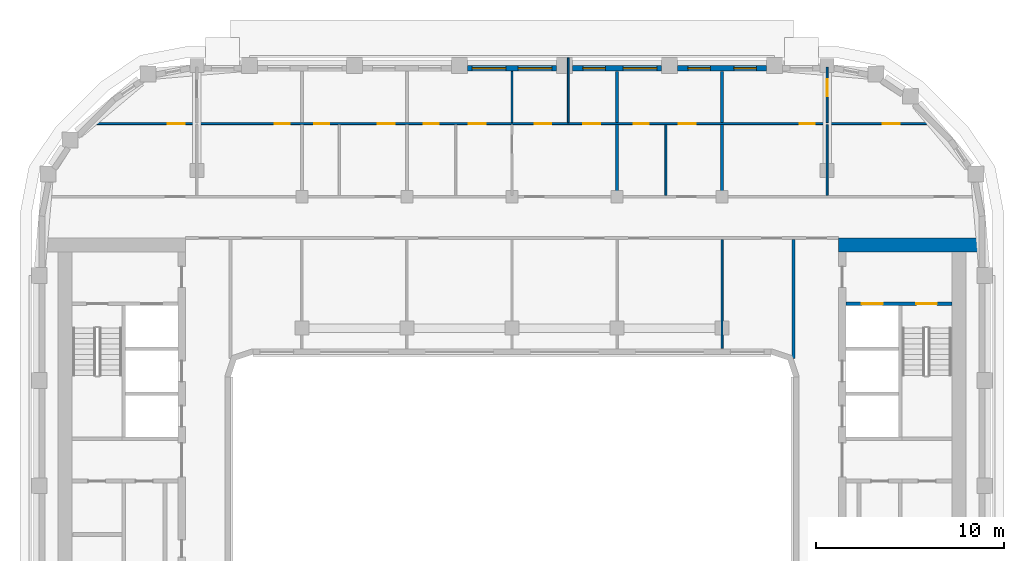
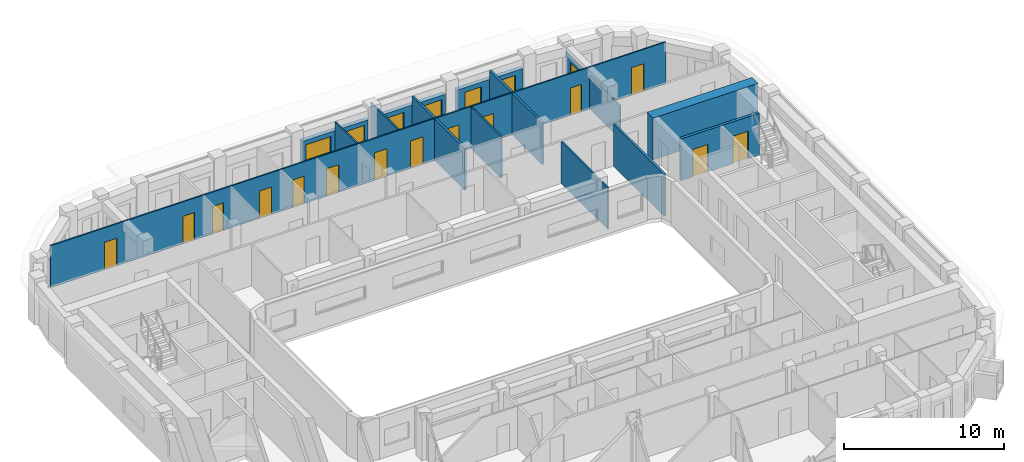
# One storey, part 8 of 21: 17 walls, 15 doors, 6 windows, 21 openings.
"""IFC4 building model written with IfcOpenShell, lengths in metres."""

from ifc_helpers import new_model, si_unit, direction, frame, frame_2d, origin, place, context, subcontext, project, spatial, rectangle, extrude, material, layer, layer_set, type_object, element, fill, save


model = new_model("IFC4")

# Units and contexts
model_context = context("Model", 3, precision=1e-05, world=origin(), true_north=direction((0.0, 1.0)))
body_context = subcontext(model_context, "Body", "Model", "MODEL_VIEW")
ifc_project = project(units=[si_unit("LENGTHUNIT", "METRE"), si_unit("AREAUNIT", "SQUARE_METRE"), si_unit("VOLUMEUNIT", "CUBIC_METRE"), si_unit("PLANEANGLEUNIT", "RADIAN"), si_unit("MASSUNIT", "GRAM", prefix="KILO")], contexts=[model_context])

# Site, building, storey
site_placement = place(None, origin())
site = spatial("IfcSite", under=ifc_project, at=site_placement, CompositionType="ELEMENT")
building_placement = place(site_placement, origin())
building = spatial("IfcBuilding", under=site, at=building_placement, Name="Kiln Ring Residences", CompositionType="ELEMENT")
storey_placement = place(building_placement, frame((0.0, 0.0, 223.89990234375)))
storey = spatial("IfcBuildingStorey", under=building, at=storey_placement, Name="L58", CompositionType="ELEMENT", Elevation=223.89990234375)

# Wall, openings, doors
ifc_material_1 = material(Name="Concrete C40/50", Category="concrete")
ifc_layer_1 = layer(ifc_material_1, 0.199951171875)
ifc_layer_set_1 = layer_set([ifc_layer_1], Name="CORE-WALL-RC200")
wall_type_1 = type_object("IfcWallType", Name="CORE-WALL-RC200", PredefinedType="SHEAR", material=ifc_layer_set_1)
wall_1_placement = place(storey_placement, frame((17.800048828125, 9.699951171875, 0.0), z_axis=(0.0, 0.0, 1.0), x_axis=(1.0, 0.0, 0.0)))
wall_1 = element("IfcWall", 1, at=wall_1_placement, inside=storey, type_object=wall_type_1, Name="Core wall east L58 9", PredefinedType="SHEAR", context=body_context, shape_type="SweptSolid", body=[
    extrude(rectangle(XDim=5.64990234375, YDim=0.199951171875, at=frame_2d((2.824951171875, 0.0))), origin(), (0.0, 0.0, 1.0), 3.2001953125),
])
opening_1_placement = place(wall_1_placement, frame((0.85009765625, 0.0, 0.0)))
opening_1 = element("IfcOpeningElement", 2, at=opening_1_placement, cuts=wall_1, Name="Opening L58-CE06", PredefinedType="OPENING", context=body_context, shape_type="SweptSolid", body=[
    extrude(rectangle(XDim=1.10009765625, YDim=2.10009765625, at=frame_2d((0.550048828125, 1.050048828125))), frame((0.0, 0.10986328125, 0.0), z_axis=(0.0, -1.0, 0.0), x_axis=(1.0, 0.0, 0.0)), (0.0, 0.0, 1.0), 0.219970703125),
])
opening_2_placement = place(wall_1_placement, frame((3.75, 0.0, 0.0)))
opening_2 = element("IfcOpeningElement", 3, at=opening_2_placement, cuts=wall_1, Name="Opening L58-CE09", PredefinedType="OPENING", context=body_context, shape_type="SweptSolid", body=[
    extrude(rectangle(XDim=1.10009765625, YDim=2.10009765625, at=frame_2d((0.550048828125, 1.050048828125))), frame((0.0, 0.10986328125, 0.0), z_axis=(0.0, -1.0, 0.0), x_axis=(1.0, 0.0, 0.0)), (0.0, 0.0, 1.0), 0.219970703125),
])
ifc_material_2 = material(Name="Steel door leaf", Category="steel")
door_type_1 = type_object("IfcDoorType", Name="CORE-DOOR-LD", OperationType="DOUBLE_DOOR_SLIDING", PredefinedType="DOOR", material=ifc_material_2)
door_1_placement = place(opening_1_placement, origin())
door_1 = element("IfcDoor", 4, at=door_1_placement, inside=storey, type_object=door_type_1, Name="LD E-FF L58-CE06", OperationType="DOUBLE_DOOR_SLIDING", OverallHeight=2.10009765625, OverallWidth=1.10009765625, PredefinedType="DOOR", context=body_context, shape_type="SweptSolid", body=[
    extrude(rectangle(XDim=1.10009765625, YDim=2.10009765625, at=frame_2d((0.550048828125, 1.050048828125))), frame((0.0, 0.02490234375, 0.0), z_axis=(0.0, -1.0, 0.0), x_axis=(1.0, 0.0, 0.0)), (0.0, 0.0, 1.0), 0.050048828125),
])
fill(opening_1, door_1)
ifc_material_3 = material(Name="Steel door leaf", Category="steel")
door_type_2 = type_object("IfcDoorType", Name="CORE-DOOR-STAIR", OperationType="SINGLE_SWING_LEFT", PredefinedType="DOOR", material=ifc_material_3)
door_2_placement = place(opening_2_placement, origin())
door_2 = element("IfcDoor", 5, at=door_2_placement, inside=storey, type_object=door_type_2, Name="Stair E-STN L58-CE09", OperationType="SINGLE_SWING_RIGHT", OverallHeight=2.10009765625, OverallWidth=1.10009765625, PredefinedType="DOOR", context=body_context, shape_type="SweptSolid", body=[
    extrude(rectangle(XDim=1.10009765625, YDim=2.10009765625, at=frame_2d((0.550048828125, 1.050048828125))), frame((0.0, 0.02490234375, 0.0), z_axis=(0.0, -1.0, 0.0), x_axis=(1.0, 0.0, 0.0)), (0.0, 0.0, 1.0), 0.050048828125),
])
fill(opening_2, door_2)

# Wall
ifc_material_4 = material(Name="Concrete C60/75", Category="concrete")
ifc_layer_2 = layer(ifc_material_4, 0.75)
ifc_layer_set_2 = layer_set([ifc_layer_2], Name="CORE-WALL-RC750")
wall_type_2 = type_object("IfcWallType", Name="CORE-WALL-RC750", PredefinedType="SHEAR", material=ifc_layer_set_2)
wall_2_placement = place(storey_placement, frame((17.39990234375, 12.824951171875, 0.0), z_axis=(0.0, 0.0, 1.0), x_axis=(1.0, 0.0, 0.0)))
element("IfcWall", 6, at=wall_2_placement, inside=storey, type_object=wall_type_2, Name="Core wall east L58 4", PredefinedType="SHEAR", context=body_context, shape_type="SweptSolid", body=[
    extrude(rectangle(XDim=7.60009765625, YDim=0.75, at=frame_2d((3.800048828125, 0.0))), origin(), (0.0, 0.0, 1.0), 3.2001953125),
])

# Wall, openings, windows
ifc_material_5 = material(Name="Brick masonry, dark clay brick", Category="masonry")
ifc_layer_3 = layer(ifc_material_5, 0.300048828125)
ifc_layer_set_3 = layer_set([ifc_layer_3], Name="EW-300 BRICK WALL")
wall_type_3 = type_object("IfcWallType", Name="EW-300 BRICK WALL", PredefinedType="SOLIDWALL", material=ifc_layer_set_3)
wall_3_placement = place(storey_placement, frame((13.574951171875, 22.25, 0.0), z_axis=(0.0, 0.0, 1.0), x_axis=(-1.0, 0.0, 0.0)))
wall_3 = element("IfcWall", 7, at=wall_3_placement, inside=storey, type_object=wall_type_3, Name="Facade wall L58 28", PredefinedType="SOLIDWALL", context=body_context, shape_type="SweptSolid", body=[
    extrude(rectangle(XDim=4.75, YDim=0.300048828125, at=frame_2d((2.375, 0.0))), origin(), (0.0, 0.0, 1.0), 2.5),
])
opening_3_placement = place(wall_3_placement, frame((0.550048828125, 0.0, 0.60009765625)))
opening_3 = element("IfcOpeningElement", 8, at=opening_3_placement, cuts=wall_3, Name="Opening W1", PredefinedType="OPENING", context=body_context, shape_type="SweptSolid", body=[
    extrude(rectangle(XDim=1.199951171875, YDim=1.550048828125, at=frame_2d((0.60009765625, 0.77490234375))), frame((0.0, 0.159912109375, 0.0), z_axis=(0.0, -1.0, 0.0), x_axis=(1.0, 0.0, 0.0)), (0.0, 0.0, 1.0), 0.320068359375),
])
opening_4_placement = place(wall_3_placement, frame((3.0, 0.0, 0.60009765625)))
opening_4 = element("IfcOpeningElement", 9, at=opening_4_placement, cuts=wall_3, Name="Opening W1", PredefinedType="OPENING", context=body_context, shape_type="SweptSolid", body=[
    extrude(rectangle(XDim=1.199951171875, YDim=1.550048828125, at=frame_2d((0.60009765625, 0.77490234375))), frame((0.0, 0.159912109375, 0.0), z_axis=(0.0, -1.0, 0.0), x_axis=(1.0, 0.0, 0.0)), (0.0, 0.0, 1.0), 0.320068359375),
])
ifc_material_6 = material(Name="Aluminium frame with double glazing", Category="aluminium")
window_type_1 = type_object("IfcWindowType", Name="WINDOW 1200 x 1550", PartitioningType="SINGLE_PANEL", PredefinedType="WINDOW", material=ifc_material_6)
window_1_placement = place(opening_3_placement, origin())
window_1 = element("IfcWindow", 10, at=window_1_placement, inside=storey, type_object=window_type_1, Name="Window L58 21", OverallHeight=1.550048828125, OverallWidth=1.199951171875, PartitioningType="SINGLE_PANEL", PredefinedType="WINDOW", context=body_context, shape_type="SweptSolid", body=[
    extrude(rectangle(XDim=1.199951171875, YDim=1.550048828125, at=frame_2d((0.60009765625, 0.77490234375))), frame((0.0, 0.030029296875, 0.0), z_axis=(0.0, -1.0, 0.0), x_axis=(1.0, 0.0, 0.0)), (0.0, 0.0, 1.0), 0.06005859375),
])
fill(opening_3, window_1)
window_2_placement = place(opening_4_placement, origin())
window_2 = element("IfcWindow", 11, at=window_2_placement, inside=storey, type_object=window_type_1, Name="Window L58 22", OverallHeight=1.550048828125, OverallWidth=1.199951171875, PartitioningType="SINGLE_PANEL", PredefinedType="WINDOW", context=body_context, shape_type="SweptSolid", body=[
    extrude(rectangle(XDim=1.199951171875, YDim=1.550048828125, at=frame_2d((0.60009765625, 0.77490234375))), frame((0.0, 0.030029296875, 0.0), z_axis=(0.0, -1.0, 0.0), x_axis=(1.0, 0.0, 0.0)), (0.0, 0.0, 1.0), 0.06005859375),
])
fill(opening_4, window_2)

wall_4_placement = place(storey_placement, frame((7.97509765625, 22.25, 0.0), z_axis=(0.0, 0.0, 1.0), x_axis=(-1.0, 0.0, 0.0)))
wall_4 = element("IfcWall", 12, at=wall_4_placement, inside=storey, type_object=wall_type_3, Name="Facade wall L58 29", PredefinedType="SOLIDWALL", context=body_context, shape_type="SweptSolid", body=[
    extrude(rectangle(XDim=4.75, YDim=0.300048828125, at=frame_2d((2.375, 0.0))), origin(), (0.0, 0.0, 1.0), 2.5),
])
opening_5_placement = place(wall_4_placement, frame((0.25, 0.0, 0.89990234375)))
opening_5 = element("IfcOpeningElement", 13, at=opening_5_placement, cuts=wall_4, Name="Opening W2", PredefinedType="OPENING", context=body_context, shape_type="SweptSolid", body=[
    extrude(rectangle(XDim=1.800048828125, YDim=1.25, at=frame_2d((0.89990234375, 0.625))), frame((0.0, 0.159912109375, 0.0), z_axis=(0.0, -1.0, 0.0), x_axis=(1.0, 0.0, 0.0)), (0.0, 0.0, 1.0), 0.320068359375),
])
opening_6_placement = place(wall_4_placement, frame((3.0, 0.0, 0.60009765625)))
opening_6 = element("IfcOpeningElement", 14, at=opening_6_placement, cuts=wall_4, Name="Opening W1", PredefinedType="OPENING", context=body_context, shape_type="SweptSolid", body=[
    extrude(rectangle(XDim=1.199951171875, YDim=1.550048828125, at=frame_2d((0.60009765625, 0.77490234375))), frame((0.0, 0.159912109375, 0.0), z_axis=(0.0, -1.0, 0.0), x_axis=(1.0, 0.0, 0.0)), (0.0, 0.0, 1.0), 0.320068359375),
])
window_3_placement = place(opening_6_placement, origin())
window_3 = element("IfcWindow", 15, at=window_3_placement, inside=storey, type_object=window_type_1, Name="Window L58 24", OverallHeight=1.550048828125, OverallWidth=1.199951171875, PartitioningType="SINGLE_PANEL", PredefinedType="WINDOW", context=body_context, shape_type="SweptSolid", body=[
    extrude(rectangle(XDim=1.199951171875, YDim=1.550048828125, at=frame_2d((0.60009765625, 0.77490234375))), frame((0.0, 0.030029296875, 0.0), z_axis=(0.0, -1.0, 0.0), x_axis=(1.0, 0.0, 0.0)), (0.0, 0.0, 1.0), 0.06005859375),
])
fill(opening_6, window_3)
ifc_material_7 = material(Name="Aluminium frame with double glazing", Category="aluminium")
window_type_2 = type_object("IfcWindowType", Name="WINDOW 1800 x 1250", PartitioningType="SINGLE_PANEL", PredefinedType="WINDOW", material=ifc_material_7)
window_4_placement = place(opening_5_placement, origin())
window_4 = element("IfcWindow", 16, at=window_4_placement, inside=storey, type_object=window_type_2, Name="Window L58 23", OverallHeight=1.25, OverallWidth=1.800048828125, PartitioningType="SINGLE_PANEL", PredefinedType="WINDOW", context=body_context, shape_type="SweptSolid", body=[
    extrude(rectangle(XDim=1.800048828125, YDim=1.25, at=frame_2d((0.89990234375, 0.625))), frame((0.0, 0.030029296875, 0.0), z_axis=(0.0, -1.0, 0.0), x_axis=(1.0, 0.0, 0.0)), (0.0, 0.0, 1.0), 0.06005859375),
])
fill(opening_5, window_4)

wall_5_placement = place(storey_placement, frame((2.375, 22.25, 0.0), z_axis=(0.0, 0.0, 1.0), x_axis=(-1.0, 0.0, 0.0)))
wall_5 = element("IfcWall", 17, at=wall_5_placement, inside=storey, type_object=wall_type_3, Name="Facade wall L58 30", PredefinedType="SOLIDWALL", context=body_context, shape_type="SweptSolid", body=[
    extrude(rectangle(XDim=4.75, YDim=0.300048828125, at=frame_2d((2.375, 0.0))), origin(), (0.0, 0.0, 1.0), 2.5),
])
opening_7_placement = place(wall_5_placement, frame((0.25, 0.0, 0.89990234375)))
opening_7 = element("IfcOpeningElement", 18, at=opening_7_placement, cuts=wall_5, Name="Opening W2", PredefinedType="OPENING", context=body_context, shape_type="SweptSolid", body=[
    extrude(rectangle(XDim=1.800048828125, YDim=1.25, at=frame_2d((0.89990234375, 0.625))), frame((0.0, 0.159912109375, 0.0), z_axis=(0.0, -1.0, 0.0), x_axis=(1.0, 0.0, 0.0)), (0.0, 0.0, 1.0), 0.320068359375),
])
opening_8_placement = place(wall_5_placement, frame((2.699951171875, 0.0, 0.89990234375)))
opening_8 = element("IfcOpeningElement", 19, at=opening_8_placement, cuts=wall_5, Name="Opening W2", PredefinedType="OPENING", context=body_context, shape_type="SweptSolid", body=[
    extrude(rectangle(XDim=1.800048828125, YDim=1.25, at=frame_2d((0.89990234375, 0.625))), frame((0.0, 0.159912109375, 0.0), z_axis=(0.0, -1.0, 0.0), x_axis=(1.0, 0.0, 0.0)), (0.0, 0.0, 1.0), 0.320068359375),
])
window_5_placement = place(opening_7_placement, origin())
window_5 = element("IfcWindow", 20, at=window_5_placement, inside=storey, type_object=window_type_2, Name="Window L58 25", OverallHeight=1.25, OverallWidth=1.800048828125, PartitioningType="SINGLE_PANEL", PredefinedType="WINDOW", context=body_context, shape_type="SweptSolid", body=[
    extrude(rectangle(XDim=1.800048828125, YDim=1.25, at=frame_2d((0.89990234375, 0.625))), frame((0.0, 0.030029296875, 0.0), z_axis=(0.0, -1.0, 0.0), x_axis=(1.0, 0.0, 0.0)), (0.0, 0.0, 1.0), 0.06005859375),
])
fill(opening_7, window_5)
window_6_placement = place(opening_8_placement, origin())
window_6 = element("IfcWindow", 21, at=window_6_placement, inside=storey, type_object=window_type_2, Name="Window L58 26", OverallHeight=1.25, OverallWidth=1.800048828125, PartitioningType="SINGLE_PANEL", PredefinedType="WINDOW", context=body_context, shape_type="SweptSolid", body=[
    extrude(rectangle(XDim=1.800048828125, YDim=1.25, at=frame_2d((0.89990234375, 0.625))), frame((0.0, 0.030029296875, 0.0), z_axis=(0.0, -1.0, 0.0), x_axis=(1.0, 0.0, 0.0)), (0.0, 0.0, 1.0), 0.06005859375),
])
fill(opening_8, window_6)

# Wall, openings, doors
ifc_material_8 = material(Name="Gypsum board on steel studs", Category="steel")
ifc_layer_4 = layer(ifc_material_8, 0.10009765625)
ifc_layer_set_4 = layer_set([ifc_layer_4], Name="PARTITION-100")
wall_type_4 = type_object("IfcWallType", Name="PARTITION-100", PredefinedType="PARTITIONING", material=ifc_layer_set_4)
wall_6_placement = place(storey_placement, frame((-22.255615234375, 19.300048828125, 0.0), z_axis=(0.0, 0.0, 1.0), x_axis=(1.0, 0.0, 0.0)))
wall_6 = element("IfcWall", 22, at=wall_6_placement, inside=storey, type_object=wall_type_4, Name="Partition 006", PredefinedType="PARTITIONING", context=body_context, shape_type="SweptSolid", body=[
    extrude(rectangle(XDim=44.51123046875, YDim=0.10009765625, at=frame_2d((22.255615234375, 0.0))), origin(), (0.0, 0.0, 1.0), 3.2001953125),
])
opening_9_placement = place(wall_6_placement, frame((9.605712890625, 0.0, 0.0)))
opening_9 = element("IfcOpeningElement", 23, at=opening_9_placement, cuts=wall_6, Name="Opening L58-D012", PredefinedType="OPENING", context=body_context, shape_type="SweptSolid", body=[
    extrude(rectangle(XDim=0.800048828125, YDim=2.10009765625, at=frame_2d((0.39990234375, 1.050048828125))), frame((0.0, 0.06005859375, 0.0), z_axis=(0.0, -1.0, 0.0), x_axis=(1.0, 0.0, 0.0)), (0.0, 0.0, 1.0), 0.1201171875),
])
opening_10_placement = place(wall_6_placement, frame((3.90576171875, 0.0, 0.0)))
opening_10 = element("IfcOpeningElement", 24, at=opening_10_placement, cuts=wall_6, Name="Opening L58-D013", PredefinedType="OPENING", context=body_context, shape_type="SweptSolid", body=[
    extrude(rectangle(XDim=0.89990234375, YDim=2.10009765625, at=frame_2d((0.449951171875, 1.050048828125))), frame((0.0, 0.06005859375, 0.0), z_axis=(0.0, -1.0, 0.0), x_axis=(1.0, 0.0, 0.0)), (0.0, 0.0, 1.0), 0.1201171875),
])
opening_11_placement = place(wall_6_placement, frame((11.705810546875, 0.0, 0.0)))
opening_11 = element("IfcOpeningElement", 25, at=opening_11_placement, cuts=wall_6, Name="Opening L58-D016", PredefinedType="OPENING", context=body_context, shape_type="SweptSolid", body=[
    extrude(rectangle(XDim=0.800048828125, YDim=2.10009765625, at=frame_2d((0.39990234375, 1.050048828125))), frame((0.0, 0.06005859375, 0.0), z_axis=(0.0, -1.0, 0.0), x_axis=(1.0, 0.0, 0.0)), (0.0, 0.0, 1.0), 0.1201171875),
])
opening_12_placement = place(wall_6_placement, frame((15.105712890625, 0.0, 0.0)))
opening_12 = element("IfcOpeningElement", 26, at=opening_12_placement, cuts=wall_6, Name="Opening L58-D017", PredefinedType="OPENING", context=body_context, shape_type="SweptSolid", body=[
    extrude(rectangle(XDim=0.89990234375, YDim=2.10009765625, at=frame_2d((0.449951171875, 1.050048828125))), frame((0.0, 0.06005859375, 0.0), z_axis=(0.0, -1.0, 0.0), x_axis=(1.0, 0.0, 0.0)), (0.0, 0.0, 1.0), 0.1201171875),
])
opening_13_placement = place(wall_6_placement, frame((17.5556640625, 0.0, 0.0)))
opening_13 = element("IfcOpeningElement", 27, at=opening_13_placement, cuts=wall_6, Name="Opening L58-D020", PredefinedType="OPENING", context=body_context, shape_type="SweptSolid", body=[
    extrude(rectangle(XDim=0.800048828125, YDim=2.10009765625, at=frame_2d((0.39990234375, 1.050048828125))), frame((0.0, 0.06005859375, 0.0), z_axis=(0.0, -1.0, 0.0), x_axis=(1.0, 0.0, 0.0)), (0.0, 0.0, 1.0), 0.1201171875),
])
opening_14_placement = place(wall_6_placement, frame((19.955810546875, 0.0, 0.0)))
opening_14 = element("IfcOpeningElement", 28, at=opening_14_placement, cuts=wall_6, Name="Opening L58-D021", PredefinedType="OPENING", context=body_context, shape_type="SweptSolid", body=[
    extrude(rectangle(XDim=0.89990234375, YDim=2.10009765625, at=frame_2d((0.449951171875, 1.050048828125))), frame((0.0, 0.06005859375, 0.0), z_axis=(0.0, -1.0, 0.0), x_axis=(1.0, 0.0, 0.0)), (0.0, 0.0, 1.0), 0.1201171875),
])
opening_15_placement = place(wall_6_placement, frame((23.455810546875, 0.0, 0.0)))
opening_15 = element("IfcOpeningElement", 29, at=opening_15_placement, cuts=wall_6, Name="Opening L58-D022", PredefinedType="OPENING", context=body_context, shape_type="SweptSolid", body=[
    extrude(rectangle(XDim=0.89990234375, YDim=2.10009765625, at=frame_2d((0.449951171875, 1.050048828125))), frame((0.0, 0.06005859375, 0.0), z_axis=(0.0, -1.0, 0.0), x_axis=(1.0, 0.0, 0.0)), (0.0, 0.0, 1.0), 0.1201171875),
])
opening_16_placement = place(wall_6_placement, frame((26.0556640625, 0.0, 0.0)))
opening_16 = element("IfcOpeningElement", 30, at=opening_16_placement, cuts=wall_6, Name="Opening L58-D023", PredefinedType="OPENING", context=body_context, shape_type="SweptSolid", body=[
    extrude(rectangle(XDim=0.89990234375, YDim=2.10009765625, at=frame_2d((0.449951171875, 1.050048828125))), frame((0.0, 0.06005859375, 0.0), z_axis=(0.0, -1.0, 0.0), x_axis=(1.0, 0.0, 0.0)), (0.0, 0.0, 1.0), 0.1201171875),
])
opening_17_placement = place(wall_6_placement, frame((28.755615234375, 0.0, 0.0)))
opening_17 = element("IfcOpeningElement", 31, at=opening_17_placement, cuts=wall_6, Name="Opening L58-D025", PredefinedType="OPENING", context=body_context, shape_type="SweptSolid", body=[
    extrude(rectangle(XDim=0.800048828125, YDim=2.10009765625, at=frame_2d((0.39990234375, 1.050048828125))), frame((0.0, 0.06005859375, 0.0), z_axis=(0.0, -1.0, 0.0), x_axis=(1.0, 0.0, 0.0)), (0.0, 0.0, 1.0), 0.1201171875),
])
opening_18_placement = place(wall_6_placement, frame((31.15576171875, 0.0, 0.0)))
opening_18 = element("IfcOpeningElement", 32, at=opening_18_placement, cuts=wall_6, Name="Opening L58-D026", PredefinedType="OPENING", context=body_context, shape_type="SweptSolid", body=[
    extrude(rectangle(XDim=0.89990234375, YDim=2.10009765625, at=frame_2d((0.449951171875, 1.050048828125))), frame((0.0, 0.06005859375, 0.0), z_axis=(0.0, -1.0, 0.0), x_axis=(1.0, 0.0, 0.0)), (0.0, 0.0, 1.0), 0.1201171875),
])
opening_19_placement = place(wall_6_placement, frame((37.605712890625, 0.0, 0.0)))
opening_19 = element("IfcOpeningElement", 33, at=opening_19_placement, cuts=wall_6, Name="Opening L58-D028", PredefinedType="OPENING", context=body_context, shape_type="SweptSolid", body=[
    extrude(rectangle(XDim=0.800048828125, YDim=2.10009765625, at=frame_2d((0.39990234375, 1.050048828125))), frame((0.0, 0.06005859375, 0.0), z_axis=(0.0, -1.0, 0.0), x_axis=(1.0, 0.0, 0.0)), (0.0, 0.0, 1.0), 0.1201171875),
])
opening_20_placement = place(wall_6_placement, frame((42.027587890625, 0.0, 0.0)))
opening_20 = element("IfcOpeningElement", 34, at=opening_20_placement, cuts=wall_6, Name="Opening L58-D029", PredefinedType="OPENING", context=body_context, shape_type="SweptSolid", body=[
    extrude(rectangle(XDim=0.89990234375, YDim=2.10009765625, at=frame_2d((0.449951171875, 1.050048828125))), frame((0.0, 0.06005859375, 0.0), z_axis=(0.0, -1.0, 0.0), x_axis=(1.0, 0.0, 0.0)), (0.0, 0.0, 1.0), 0.1201171875),
])
ifc_material_9 = material(Name="Timber door leaf", Category="wood")
door_type_3 = type_object("IfcDoorType", Name="FLAT-DOOR-800-PL", OperationType="SINGLE_SWING_LEFT", PredefinedType="DOOR", material=ifc_material_9)
door_3_placement = place(opening_9_placement, origin())
door_3 = element("IfcDoor", 35, at=door_3_placement, inside=storey, type_object=door_type_3, Name="Door L58-D012", OperationType="SINGLE_SWING_RIGHT", OverallHeight=2.10009765625, OverallWidth=0.800048828125, PredefinedType="DOOR", context=body_context, shape_type="SweptSolid", body=[
    extrude(rectangle(XDim=0.800048828125, YDim=2.10009765625, at=frame_2d((0.39990234375, 1.050048828125))), frame((0.0, 0.02490234375, 0.0), z_axis=(0.0, -1.0, 0.0), x_axis=(1.0, 0.0, 0.0)), (0.0, 0.0, 1.0), 0.050048828125),
])
fill(opening_9, door_3)
door_4_placement = place(opening_11_placement, origin())
door_4 = element("IfcDoor", 36, at=door_4_placement, inside=storey, type_object=door_type_3, Name="Door L58-D016", OperationType="SINGLE_SWING_RIGHT", OverallHeight=2.10009765625, OverallWidth=0.800048828125, PredefinedType="DOOR", context=body_context, shape_type="SweptSolid", body=[
    extrude(rectangle(XDim=0.800048828125, YDim=2.10009765625, at=frame_2d((0.39990234375, 1.050048828125))), frame((0.0, 0.02490234375, 0.0), z_axis=(0.0, -1.0, 0.0), x_axis=(1.0, 0.0, 0.0)), (0.0, 0.0, 1.0), 0.050048828125),
])
fill(opening_11, door_4)
door_5_placement = place(opening_13_placement, origin())
door_5 = element("IfcDoor", 37, at=door_5_placement, inside=storey, type_object=door_type_3, Name="Door L58-D020", OperationType="SINGLE_SWING_RIGHT", OverallHeight=2.10009765625, OverallWidth=0.800048828125, PredefinedType="DOOR", context=body_context, shape_type="SweptSolid", body=[
    extrude(rectangle(XDim=0.800048828125, YDim=2.10009765625, at=frame_2d((0.39990234375, 1.050048828125))), frame((0.0, 0.02490234375, 0.0), z_axis=(0.0, -1.0, 0.0), x_axis=(1.0, 0.0, 0.0)), (0.0, 0.0, 1.0), 0.050048828125),
])
fill(opening_13, door_5)
door_6_placement = place(opening_17_placement, origin())
door_6 = element("IfcDoor", 38, at=door_6_placement, inside=storey, type_object=door_type_3, Name="Door L58-D025", OperationType="SINGLE_SWING_LEFT", OverallHeight=2.10009765625, OverallWidth=0.800048828125, PredefinedType="DOOR", context=body_context, shape_type="SweptSolid", body=[
    extrude(rectangle(XDim=0.800048828125, YDim=2.10009765625, at=frame_2d((0.39990234375, 1.050048828125))), frame((0.0, 0.02490234375, 0.0), z_axis=(0.0, -1.0, 0.0), x_axis=(1.0, 0.0, 0.0)), (0.0, 0.0, 1.0), 0.050048828125),
])
fill(opening_17, door_6)
door_7_placement = place(opening_19_placement, origin())
door_7 = element("IfcDoor", 39, at=door_7_placement, inside=storey, type_object=door_type_3, Name="Door L58-D028", OperationType="SINGLE_SWING_RIGHT", OverallHeight=2.10009765625, OverallWidth=0.800048828125, PredefinedType="DOOR", context=body_context, shape_type="SweptSolid", body=[
    extrude(rectangle(XDim=0.800048828125, YDim=2.10009765625, at=frame_2d((0.39990234375, 1.050048828125))), frame((0.0, 0.02490234375, 0.0), z_axis=(0.0, -1.0, 0.0), x_axis=(1.0, 0.0, 0.0)), (0.0, 0.0, 1.0), 0.050048828125),
])
fill(opening_19, door_7)
ifc_material_10 = material(Name="Timber door leaf", Category="wood")
door_type_4 = type_object("IfcDoorType", Name="FLAT-DOOR-900-PL", OperationType="SINGLE_SWING_LEFT", PredefinedType="DOOR", material=ifc_material_10)
door_8_placement = place(opening_10_placement, origin())
door_8 = element("IfcDoor", 40, at=door_8_placement, inside=storey, type_object=door_type_4, Name="Door L58-D013", OperationType="SINGLE_SWING_LEFT", OverallHeight=2.10009765625, OverallWidth=0.89990234375, PredefinedType="DOOR", context=body_context, shape_type="SweptSolid", body=[
    extrude(rectangle(XDim=0.89990234375, YDim=2.10009765625, at=frame_2d((0.449951171875, 1.050048828125))), frame((0.0, 0.02490234375, 0.0), z_axis=(0.0, -1.0, 0.0), x_axis=(1.0, 0.0, 0.0)), (0.0, 0.0, 1.0), 0.050048828125),
])
fill(opening_10, door_8)
door_9_placement = place(opening_12_placement, origin())
door_9 = element("IfcDoor", 41, at=door_9_placement, inside=storey, type_object=door_type_4, Name="Door L58-D017", OperationType="SINGLE_SWING_LEFT", OverallHeight=2.10009765625, OverallWidth=0.89990234375, PredefinedType="DOOR", context=body_context, shape_type="SweptSolid", body=[
    extrude(rectangle(XDim=0.89990234375, YDim=2.10009765625, at=frame_2d((0.449951171875, 1.050048828125))), frame((0.0, 0.02490234375, 0.0), z_axis=(0.0, -1.0, 0.0), x_axis=(1.0, 0.0, 0.0)), (0.0, 0.0, 1.0), 0.050048828125),
])
fill(opening_12, door_9)
door_10_placement = place(opening_14_placement, origin())
door_10 = element("IfcDoor", 42, at=door_10_placement, inside=storey, type_object=door_type_4, Name="Door L58-D021", OperationType="SINGLE_SWING_RIGHT", OverallHeight=2.10009765625, OverallWidth=0.89990234375, PredefinedType="DOOR", context=body_context, shape_type="SweptSolid", body=[
    extrude(rectangle(XDim=0.89990234375, YDim=2.10009765625, at=frame_2d((0.449951171875, 1.050048828125))), frame((0.0, 0.02490234375, 0.0), z_axis=(0.0, -1.0, 0.0), x_axis=(1.0, 0.0, 0.0)), (0.0, 0.0, 1.0), 0.050048828125),
])
fill(opening_14, door_10)
door_11_placement = place(opening_15_placement, origin())
door_11 = element("IfcDoor", 43, at=door_11_placement, inside=storey, type_object=door_type_4, Name="Door L58-D022", OperationType="SINGLE_SWING_RIGHT", OverallHeight=2.10009765625, OverallWidth=0.89990234375, PredefinedType="DOOR", context=body_context, shape_type="SweptSolid", body=[
    extrude(rectangle(XDim=0.89990234375, YDim=2.10009765625, at=frame_2d((0.449951171875, 1.050048828125))), frame((0.0, 0.02490234375, 0.0), z_axis=(0.0, -1.0, 0.0), x_axis=(1.0, 0.0, 0.0)), (0.0, 0.0, 1.0), 0.050048828125),
])
fill(opening_15, door_11)
door_12_placement = place(opening_16_placement, origin())
door_12 = element("IfcDoor", 44, at=door_12_placement, inside=storey, type_object=door_type_4, Name="Door L58-D023", OperationType="SINGLE_SWING_LEFT", OverallHeight=2.10009765625, OverallWidth=0.89990234375, PredefinedType="DOOR", context=body_context, shape_type="SweptSolid", body=[
    extrude(rectangle(XDim=0.89990234375, YDim=2.10009765625, at=frame_2d((0.449951171875, 1.050048828125))), frame((0.0, 0.02490234375, 0.0), z_axis=(0.0, -1.0, 0.0), x_axis=(1.0, 0.0, 0.0)), (0.0, 0.0, 1.0), 0.050048828125),
])
fill(opening_16, door_12)
door_13_placement = place(opening_18_placement, origin())
door_13 = element("IfcDoor", 45, at=door_13_placement, inside=storey, type_object=door_type_4, Name="Door L58-D026", OperationType="SINGLE_SWING_RIGHT", OverallHeight=2.10009765625, OverallWidth=0.89990234375, PredefinedType="DOOR", context=body_context, shape_type="SweptSolid", body=[
    extrude(rectangle(XDim=0.89990234375, YDim=2.10009765625, at=frame_2d((0.449951171875, 1.050048828125))), frame((0.0, 0.02490234375, 0.0), z_axis=(0.0, -1.0, 0.0), x_axis=(1.0, 0.0, 0.0)), (0.0, 0.0, 1.0), 0.050048828125),
])
fill(opening_18, door_13)
door_14_placement = place(opening_20_placement, origin())
door_14 = element("IfcDoor", 46, at=door_14_placement, inside=storey, type_object=door_type_4, Name="Door L58-D029", OperationType="SINGLE_SWING_LEFT", OverallHeight=2.10009765625, OverallWidth=0.89990234375, PredefinedType="DOOR", context=body_context, shape_type="SweptSolid", body=[
    extrude(rectangle(XDim=0.89990234375, YDim=2.10009765625, at=frame_2d((0.449951171875, 1.050048828125))), frame((0.0, 0.02490234375, 0.0), z_axis=(0.0, -1.0, 0.0), x_axis=(1.0, 0.0, 0.0)), (0.0, 0.0, 1.0), 0.050048828125),
])
fill(opening_20, door_14)

# Walls
wall_7_placement = place(storey_placement, frame((0.0, 19.35009765625, 0.0), z_axis=(0.0, 0.0, 1.0), x_axis=(0.0, 1.0, 0.0)))
element("IfcWall", 47, at=wall_7_placement, inside=storey, type_object=wall_type_4, Name="Partition 037", PredefinedType="PARTITIONING", context=body_context, shape_type="SweptSolid", body=[
    extrude(rectangle(XDim=2.72998046875, YDim=0.10009765625, at=frame_2d((1.364990234375, 0.0))), origin(), (0.0, 0.0, 1.0), 3.2001953125),
])
wall_8_placement = place(storey_placement, frame((3.0, 19.35009765625, 0.0), z_axis=(0.0, 0.0, 1.0), x_axis=(0.0, 1.0, 0.0)))
element("IfcWall", 48, at=wall_8_placement, inside=storey, type_object=wall_type_4, Name="Partition 043", PredefinedType="PARTITIONING", context=body_context, shape_type="SweptSolid", body=[
    extrude(rectangle(XDim=3.454833984375, YDim=0.10009765625, at=frame_2d((1.7275390625, 0.0))), origin(), (0.0, 0.0, 1.0), 3.2001953125),
])
wall_9_placement = place(storey_placement, frame((8.199951171875, 15.47509765625, 0.0), z_axis=(0.0, 0.0, 1.0), x_axis=(0.0, 1.0, 0.0)))
element("IfcWall", 49, at=wall_9_placement, inside=storey, type_object=wall_type_4, Name="Partition 051", PredefinedType="PARTITIONING", context=body_context, shape_type="SweptSolid", body=[
    extrude(rectangle(XDim=3.77490234375, YDim=0.10009765625, at=frame_2d((1.887451171875, 0.0))), origin(), (0.0, 0.0, 1.0), 3.2001953125),
])
wall_10_placement = place(storey_placement, frame((11.199951171875, 7.320068359375, 0.0), z_axis=(0.0, 0.0, 1.0), x_axis=(0.0, 1.0, 0.0)))
element("IfcWall", 50, at=wall_10_placement, inside=storey, type_object=wall_type_4, Name="Partition 056", PredefinedType="PARTITIONING", context=body_context, shape_type="SweptSolid", body=[
    extrude(rectangle(XDim=5.804931640625, YDim=0.10009765625, at=frame_2d((2.90234375, 0.0))), origin(), (0.0, 0.0, 1.0), 3.2001953125),
])
wall_11_placement = place(storey_placement, frame((16.800048828125, 15.47509765625, 0.0), z_axis=(0.0, 0.0, 1.0), x_axis=(0.0, 1.0, 0.0)))
element("IfcWall", 51, at=wall_11_placement, inside=storey, type_object=wall_type_4, Name="Partition 061", PredefinedType="PARTITIONING", context=body_context, shape_type="SweptSolid", body=[
    extrude(rectangle(XDim=3.77490234375, YDim=0.10009765625, at=frame_2d((1.887451171875, 0.0))), origin(), (0.0, 0.0, 1.0), 2.550048828125),
])

# Wall, opening, door
wall_12_placement = place(storey_placement, frame((16.800048828125, 19.35009765625, 0.0), z_axis=(0.0, 0.0, 1.0), x_axis=(0.0, 1.0, 0.0)))
wall_12 = element("IfcWall", 52, at=wall_12_placement, inside=storey, type_object=wall_type_4, Name="Partition 062", PredefinedType="PARTITIONING", context=body_context, shape_type="SweptSolid", body=[
    extrude(rectangle(XDim=2.9599609375, YDim=0.10009765625, at=frame_2d((1.47998046875, 0.0))), origin(), (0.0, 0.0, 1.0), 2.550048828125),
])
opening_21_placement = place(wall_12_placement, frame((1.409912109375, 0.0, 0.0)))
opening_21 = element("IfcOpeningElement", 53, at=opening_21_placement, cuts=wall_12, Name="Opening L58-D030", PredefinedType="OPENING", context=body_context, shape_type="SweptSolid", body=[
    extrude(rectangle(XDim=0.89990234375, YDim=2.10009765625, at=frame_2d((0.449951171875, 1.050048828125))), frame((0.0, 0.06005859375, 0.0), z_axis=(0.0, -1.0, 0.0), x_axis=(1.0, 0.0, 0.0)), (0.0, 0.0, 1.0), 0.1201171875),
])
door_15_placement = place(opening_21_placement, origin())
door_15 = element("IfcDoor", 54, at=door_15_placement, inside=storey, type_object=door_type_4, Name="Door L58-D030", OperationType="SINGLE_SWING_LEFT", OverallHeight=2.10009765625, OverallWidth=0.89990234375, PredefinedType="DOOR", context=body_context, shape_type="SweptSolid", body=[
    extrude(rectangle(XDim=0.89990234375, YDim=2.10009765625, at=frame_2d((0.449951171875, 1.050048828125))), frame((0.0, 0.02490234375, 0.0), z_axis=(0.0, -1.0, 0.0), x_axis=(1.0, 0.0, 0.0)), (0.0, 0.0, 1.0), 0.050048828125),
])
fill(opening_21, door_15)

# Walls
ifc_material_11 = material(Name="Brick masonry partition", Category="masonry")
ifc_layer_5 = layer(ifc_material_11, 0.14990234375)
ifc_layer_set_5 = layer_set([ifc_layer_5], Name="PARTITION-150-ei60")
wall_type_5 = type_object("IfcWallType", Name="PARTITION-150-ei60", PredefinedType="PARTITIONING", material=ifc_layer_set_5)
wall_13_placement = place(storey_placement, frame((5.60009765625, 15.47509765625, 0.0), z_axis=(0.0, 0.0, 1.0), x_axis=(0.0, 1.0, 0.0)))
element("IfcWall", 55, at=wall_13_placement, inside=storey, type_object=wall_type_5, Name="Partition 049", PredefinedType="PARTITIONING", context=body_context, shape_type="SweptSolid", body=[
    extrude(rectangle(XDim=3.77490234375, YDim=0.14990234375, at=frame_2d((1.887451171875, 0.0))), origin(), (0.0, 0.0, 1.0), 3.2001953125),
])
wall_14_placement = place(storey_placement, frame((5.60009765625, 19.35009765625, 0.0), z_axis=(0.0, 0.0, 1.0), x_axis=(0.0, 1.0, 0.0)))
element("IfcWall", 56, at=wall_14_placement, inside=storey, type_object=wall_type_5, Name="Partition 050", PredefinedType="PARTITIONING", context=body_context, shape_type="SweptSolid", body=[
    extrude(rectangle(XDim=2.72998046875, YDim=0.14990234375, at=frame_2d((1.364990234375, 0.0))), origin(), (0.0, 0.0, 1.0), 3.2001953125),
])
wall_15_placement = place(storey_placement, frame((11.199951171875, 15.47509765625, 0.0), z_axis=(0.0, 0.0, 1.0), x_axis=(0.0, 1.0, 0.0)))
element("IfcWall", 57, at=wall_15_placement, inside=storey, type_object=wall_type_5, Name="Partition 057", PredefinedType="PARTITIONING", context=body_context, shape_type="SweptSolid", body=[
    extrude(rectangle(XDim=3.77490234375, YDim=0.14990234375, at=frame_2d((1.887451171875, 0.0))), origin(), (0.0, 0.0, 1.0), 3.2001953125),
])
wall_16_placement = place(storey_placement, frame((11.199951171875, 19.35009765625, 0.0), z_axis=(0.0, 0.0, 1.0), x_axis=(0.0, 1.0, 0.0)))
element("IfcWall", 58, at=wall_16_placement, inside=storey, type_object=wall_type_5, Name="Partition 058", PredefinedType="PARTITIONING", context=body_context, shape_type="SweptSolid", body=[
    extrude(rectangle(XDim=2.72998046875, YDim=0.14990234375, at=frame_2d((1.364990234375, 0.0))), origin(), (0.0, 0.0, 1.0), 3.2001953125),
])
wall_17_placement = place(storey_placement, frame((15.0, 6.768798828125, 0.0), z_axis=(0.0, 0.0, 1.0), x_axis=(0.0, 1.0, 0.0)))
element("IfcWall", 59, at=wall_17_placement, inside=storey, type_object=wall_type_5, Name="Partition 060", PredefinedType="PARTITIONING", context=body_context, shape_type="SweptSolid", body=[
    extrude(rectangle(XDim=6.356201171875, YDim=0.14990234375, at=frame_2d((3.17822265625, 0.0))), origin(), (0.0, 0.0, 1.0), 3.2001953125),
])

save(model, "model.ifc")
